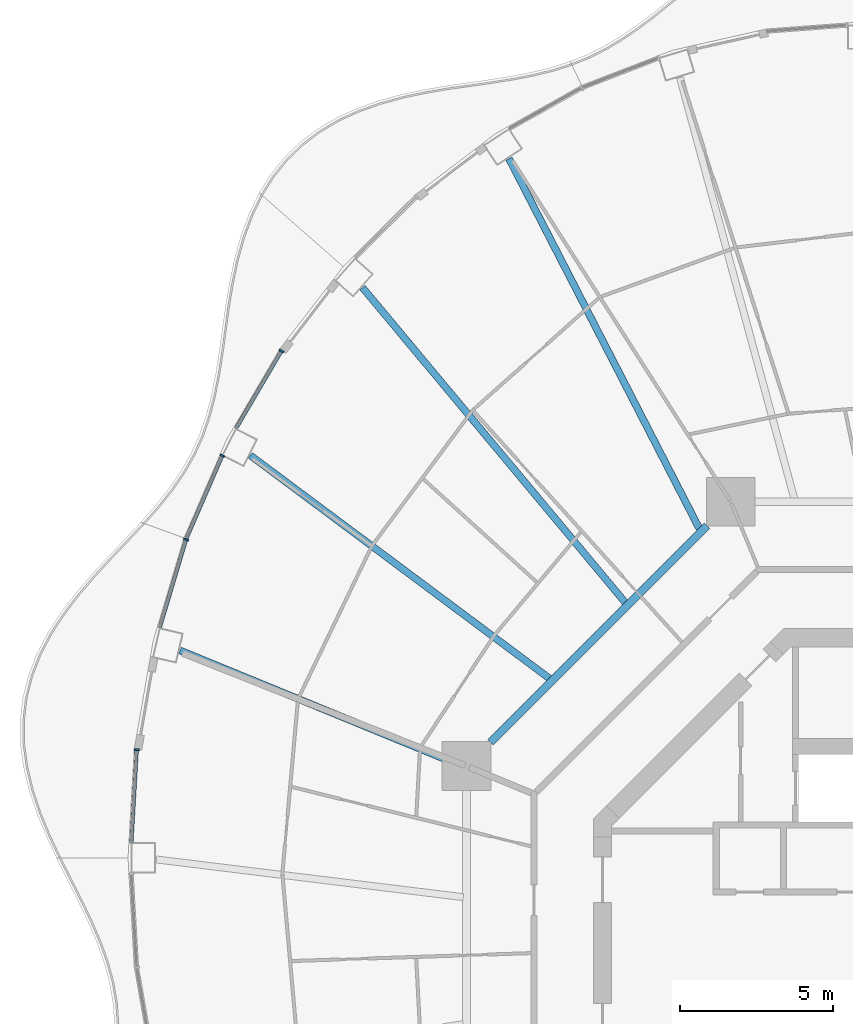
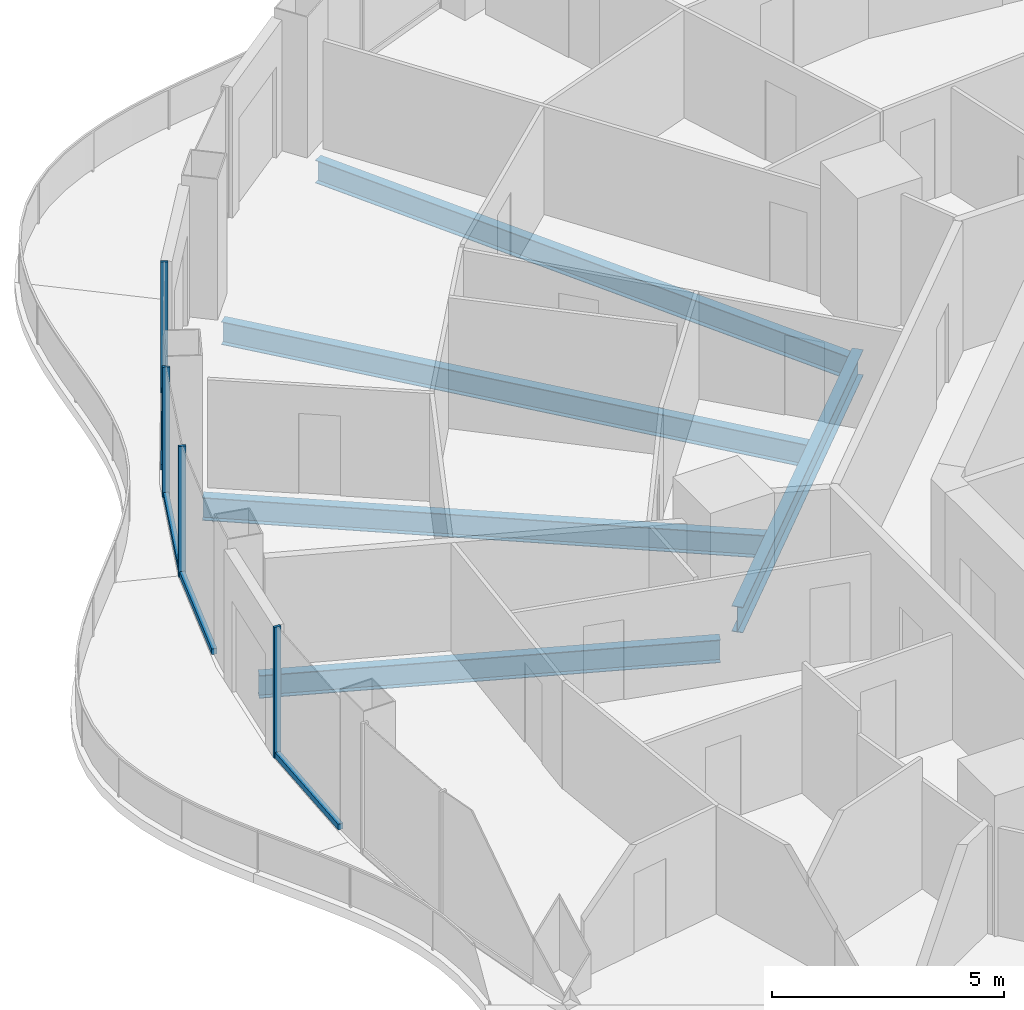
# One storey, part 5 of 18: 8 members, 5 beams, 4 elements without a shape of their own.
"""IFC4 building model written with IfcOpenShell, lengths in metres."""

import ifcopenshell
import ifcopenshell.guid

model = None  # the IFC model being written
_history = None  # IfcOwnerHistory: only IFC2X3 demands one
_inside = {}  # id of a spatial element -> (the spatial element, [elements in it])
_under = {}  # id of a project, library or spatial element -> (it, [spatial elements below it])
_declared = {}  # id of a project -> (the project, [libraries it declares])
_typed = {}  # id of a type object -> (the type object, [elements of that type])
_made_of = {}  # id of a material, layer set ... -> (it, [elements and type objects made of it])


def new_model(schema):
    """Start an empty IFC model of exactly this schema.

    Asked for "IFC4X3", IfcOpenShell would pick the latest addendum, in which some entities
    have other attributes; the version numbers below select the first issue.
    IFC2X3 requires an IfcOwnerHistory on every rooted entity: one is made here for all.
    """
    global model, _history
    if schema == "IFC4X3":
        model = ifcopenshell.file(schema_version=(4, 3, 0, 0))
    else:
        model = ifcopenshell.file(schema=schema)
    _inside.clear()
    _under.clear()
    _declared.clear()
    _typed.clear()
    _made_of.clear()
    _history = None
    if model.schema == "IFC2X3":
        org = make("IfcOrganization", Name="unknown")
        user = make(
            "IfcPersonAndOrganization",
            ThePerson=make("IfcPerson", FamilyName="unknown"),
            TheOrganization=org,
        )
        app = make(
            "IfcApplication",
            ApplicationDeveloper=org,
            Version="unknown",
            ApplicationFullName="unknown",
            ApplicationIdentifier="unknown",
        )
        _history = make(
            "IfcOwnerHistory",
            OwningUser=user,
            OwningApplication=app,
            ChangeAction="ADDED",
            CreationDate=0,
        )
    return model


def make(cls, **values):
    """One entity of the class cls with the attributes given. An attribute that is None is left unset."""
    return model.create_entity(
        cls, **{name: value for name, value in values.items() if value is not None}
    )


def rooted(cls, **values):
    """An entity with a GlobalId (a new one), such as an element, a storey or a relation."""
    return make(cls, GlobalId=ifcopenshell.guid.new(), OwnerHistory=_history, **values)


def si_unit(unit_type, name, prefix=None):
    """IfcSIUnit, for example si_unit("LENGTHUNIT", "METRE", prefix="MILLI")."""
    return make("IfcSIUnit", UnitType=unit_type, Prefix=prefix, Name=name)


def assignment(units):
    """IfcUnitAssignment: the units of a project."""
    return None if units is None else make("IfcUnitAssignment", Units=units)


def point(xyz):
    """IfcCartesianPoint."""
    return None if xyz is None else make("IfcCartesianPoint", Coordinates=xyz)


def direction(xyz):
    """IfcDirection."""
    return None if xyz is None else make("IfcDirection", DirectionRatios=xyz)


def frame(location, z_axis=None, x_axis=None):
    """IfcAxis2Placement3D, a coordinate frame: its origin and axes. An axis left out is left unset."""
    return make(
        "IfcAxis2Placement3D",
        Location=point(location),
        Axis=direction(z_axis),
        RefDirection=direction(x_axis),
    )


def frame_2d(location, x_axis=None):
    """IfcAxis2Placement2D, a coordinate frame in the plane: its origin and x axis."""
    return make(
        "IfcAxis2Placement2D", Location=point(location), RefDirection=direction(x_axis)
    )


def origin():
    """The frame at (0, 0, 0) with its axes left unset."""
    return frame((0.0, 0.0, 0.0))


def origin_2d():
    """The frame at (0, 0) in the plane with its x axis left unset."""
    return frame_2d((0.0, 0.0))


def place(relative_to, where):
    """IfcLocalPlacement: puts the frame where relative to a parent placement (None: the world)."""
    return make(
        "IfcLocalPlacement", PlacementRelTo=relative_to, RelativePlacement=where
    )


def context(
    kind, dimensions, precision=None, world=None, true_north=None, identifier=None
):
    """IfcGeometricRepresentationContext, for example the 3D "Model" context."""
    return make(
        "IfcGeometricRepresentationContext",
        ContextIdentifier=identifier,
        ContextType=kind,
        CoordinateSpaceDimension=dimensions,
        Precision=precision,
        WorldCoordinateSystem=world,
        TrueNorth=true_north,
    )


def subcontext(parent, identifier, kind, view, scale=None):
    """IfcGeometricRepresentationSubContext, for example "Body" below "Model"."""
    return make(
        "IfcGeometricRepresentationSubContext",
        ContextIdentifier=identifier,
        ContextType=kind,
        ParentContext=parent,
        TargetScale=scale,
        TargetView=view,
    )


def project(units=None, contexts=None):
    """IfcProject with its units and contexts."""
    return rooted(
        "IfcProject",
        Name="project",
        RepresentationContexts=contexts,
        UnitsInContext=assignment(units),
    )


def spatial(cls, under=None, at=None, **own):
    """A site, building, storey or space (cls), placed at a placement, below another one or the project."""
    s = rooted(cls, ObjectPlacement=at, **own)
    if under is not None:
        _under.setdefault(under.id(), (under, []))[1].append(s)
    return s


def profile(cls, at=None, kind="AREA", **sizes):
    """A parametric profile (cls). Its sizes go by their IFC names, for example OverallWidth=200.0."""
    return make(cls, ProfileType=kind, Position=at, **sizes)


def rectangle(**sizes):
    """IfcRectangleProfileDef."""
    return profile("IfcRectangleProfileDef", **sizes)


def i_section(**sizes):
    """IfcIShapeProfileDef."""
    return profile("IfcIShapeProfileDef", **sizes)


def extrude(swept, where, along, depth):
    """IfcExtrudedAreaSolid: the profile swept, set in the frame where, extruded along a direction by depth."""
    return make(
        "IfcExtrudedAreaSolid",
        SweptArea=swept,
        Position=where,
        ExtrudedDirection=direction(along),
        Depth=depth,
    )


def shape(context_of_items, identifier, shape_type, items):
    """IfcShapeRepresentation: the items that make up one representation, for example the "Body"."""
    return make(
        "IfcShapeRepresentation",
        ContextOfItems=context_of_items,
        RepresentationIdentifier=identifier,
        RepresentationType=shape_type,
        Items=items,
    )


def material(Name=None, Category=None):
    """IfcMaterial."""
    return make("IfcMaterial", Name=Name, Category=Category)


def layer(
    of_material, thickness, ventilated=None, Name=None, Category=None, Priority=None
):
    """IfcMaterialLayer: one layer of a wall or slab, of a material (None: an air gap)."""
    return make(
        "IfcMaterialLayer",
        Material=of_material,
        LayerThickness=thickness,
        IsVentilated=ventilated,
        Name=Name,
        Category=Category,
        Priority=Priority,
    )


def layer_set(layers, Name=None):
    """IfcMaterialLayerSet."""
    return make("IfcMaterialLayerSet", MaterialLayers=layers, LayerSetName=Name)


def material_profile(
    of_material, cross_section, Name=None, Category=None, Priority=None
):
    """IfcMaterialProfile: a cross section and its material."""
    return make(
        "IfcMaterialProfile",
        Name=Name,
        Material=of_material,
        Profile=cross_section,
        Priority=Priority,
        Category=Category,
    )


def profile_set(profiles, Name=None, composite=None):
    """IfcMaterialProfileSet."""
    return make(
        "IfcMaterialProfileSet",
        Name=Name,
        MaterialProfiles=profiles,
        CompositeProfile=composite,
    )


def made_of(thing, what):
    """Note that an element or type object is made of a material, layer set ...; save() writes the relation."""
    if what is not None:
        _made_of.setdefault(what.id(), (what, []))[1].append(thing)
    return thing


def type_object(cls, material=None, **own):
    """A type object (cls), such as IfcWallType, which elements share."""
    return made_of(rooted(cls, **own), material)


def element(
    cls,
    number,
    at=None,
    inside=None,
    cuts=None,
    type_object=None,
    material=None,
    context=None,
    identifier="Body",
    shape_type=None,
    held_by="IfcProductDefinitionShape",
    body=None,
    shapes=None,
    **own,
):
    """One element of the class cls, such as IfcWall. Its Tag is "e" and its number.

    at: its placement. inside: the storey or other place that contains it. cuts: it is an
    opening in that element (IfcRelVoidsElement). A single representation is given by context,
    identifier, shape_type and body (its items); several are given by shapes. held_by: the class
    of the entity that holds the representations. save() writes the other relations.
    """
    e = rooted(cls, Tag="e%d" % number, ObjectPlacement=at, **own)
    if body is not None:
        shapes = [shape(context, identifier, shape_type, body)]
    if shapes is not None:
        e.Representation = make(held_by, Representations=shapes)
    if inside is not None:
        _inside.setdefault(inside.id(), (inside, []))[1].append(e)
    if cuts is not None:
        rooted(
            "IfcRelVoidsElement", RelatingBuildingElement=cuts, RelatedOpeningElement=e
        )
    if type_object is not None:
        _typed.setdefault(type_object.id(), (type_object, []))[1].append(e)
    return made_of(e, material)


def aggregate(whole, parts):
    """IfcRelAggregates: a whole, such as a stair, and the parts it consists of."""
    return rooted("IfcRelAggregates", RelatingObject=whole, RelatedObjects=parts)


def save(model, path):
    """Write the relations noted so far, then the file.

    IfcRelAggregates (storeys below a building ...), IfcRelContainedInSpatialStructure (elements
    in a storey), IfcRelDefinesByType, IfcRelAssociatesMaterial and IfcRelDeclares: one each for
    every whole, place, type object, material and project.
    """
    for whole, parts in _under.values():
        aggregate(whole, parts)
    for where, things in _inside.values():
        rooted(
            "IfcRelContainedInSpatialStructure",
            RelatedElements=things,
            RelatingStructure=where,
        )
    for kind, things in _typed.values():
        rooted("IfcRelDefinesByType", RelatedObjects=things, RelatingType=kind)
    for what, things in _made_of.values():
        rooted("IfcRelAssociatesMaterial", RelatedObjects=things, RelatingMaterial=what)
    for by, libraries in _declared.values():
        rooted("IfcRelDeclares", RelatingContext=by, RelatedDefinitions=libraries)
    model.write(path)


model = new_model("IFC4")

# Units and contexts
model_context = context("Model", 3, precision=1e-05, world=origin(), true_north=direction((0.0, 1.0)))
body_context = subcontext(model_context, "Body", "Model", "MODEL_VIEW")
ifc_project = project(units=[si_unit("LENGTHUNIT", "METRE"), si_unit("AREAUNIT", "SQUARE_METRE"), si_unit("VOLUMEUNIT", "CUBIC_METRE"), si_unit("PLANEANGLEUNIT", "RADIAN"), si_unit("MASSUNIT", "GRAM", prefix="KILO")], contexts=[model_context])

# Site, building, storey
site_placement = place(None, origin())
site = spatial("IfcSite", under=ifc_project, at=site_placement, CompositionType="ELEMENT")
building_placement = place(site_placement, origin())
building = spatial("IfcBuilding", under=site, at=building_placement, Name="Nagisa Residences", CompositionType="ELEMENT")
storey_placement = place(building_placement, frame((0.0, 0.0, 212.199951171875)))
storey = spatial("IfcBuildingStorey", under=building, at=storey_placement, Name="L53", CompositionType="ELEMENT", Elevation=212.199951171875)

# Curtain wall, member
ifc_material_1 = material(Name="Concrete-coloured aluminium curtain wall system", Category="concrete")
ifc_layer = layer(ifc_material_1, 0.159912109375)
ifc_layer_set = layer_set([ifc_layer], Name="CW1 CURTAIN WALL")
curtain_wall_type = type_object("IfcCurtainWallType", Name="CW1 CURTAIN WALL", PredefinedType="NOTDEFINED", material=ifc_layer_set)
curtain_wall_1_placement = place(storey_placement, origin())
curtain_wall_1 = element("IfcCurtainWall", 1, at=curtain_wall_1_placement, inside=storey, type_object=curtain_wall_type, Name="cw:CW1:L53:19", PredefinedType="NOTDEFINED")
ifc_material_2 = material(Name="Concrete-coloured aluminium", Category="concrete")
ifc_material_profile_1 = material_profile(ifc_material_2, rectangle(XDim=0.159912109375, YDim=0.06005859375, at=origin_2d()), Name="CW1 MULLION 160x60")
ifc_profile_set_1 = profile_set([ifc_material_profile_1], Name="Concrete-coloured aluminium")
member_type_1 = type_object("IfcMemberType", Name="CW1 MULLION 160x60", PredefinedType="MULLION", material=ifc_profile_set_1)
member_1_placement = place(storey_placement, frame((-20.84228515625, 19.725341796875, 0.0), z_axis=(0.0, 0.0, 1.0), x_axis=(0.862328898214, -0.506348567002, 0.0)))
member_1 = element("IfcMember", 2, at=member_1_placement, type_object=member_type_1, Name="CW1 mullion", PredefinedType="MULLION", context=body_context, shape_type="SweptSolid", body=[
    extrude(rectangle(XDim=0.159912109375, YDim=0.06005859375, at=origin_2d()), origin(), (0.0, 0.0, 1.0), 3.43994140625),
])

curtain_wall_2_placement = place(storey_placement, origin())
curtain_wall_2 = element("IfcCurtainWall", 3, at=curtain_wall_2_placement, inside=storey, type_object=curtain_wall_type, Name="cw:CW1:L53:20", PredefinedType="NOTDEFINED")
member_2_placement = place(storey_placement, frame((-22.782470703125, 16.294677734375, 0.0), z_axis=(0.0, 0.0, 1.0), x_axis=(0.917543276295, -0.397635934147, 0.0)))
member_2 = element("IfcMember", 4, at=member_2_placement, type_object=member_type_1, Name="CW1 mullion", PredefinedType="MULLION", context=body_context, shape_type="SweptSolid", body=[
    extrude(rectangle(XDim=0.159912109375, YDim=0.06005859375, at=origin_2d()), origin(), (0.0, 0.0, 1.0), 3.43994140625),
])

curtain_wall_3_placement = place(storey_placement, origin())
curtain_wall_3 = element("IfcCurtainWall", 5, at=curtain_wall_3_placement, inside=storey, type_object=curtain_wall_type, Name="cw:CW1:L53:21", PredefinedType="NOTDEFINED")
member_3_placement = place(storey_placement, frame((-23.9697265625, 13.5478515625, 0.0), z_axis=(0.0, 0.0, 1.0), x_axis=(0.958271310082, -0.285860274038, 0.0)))
member_3 = element("IfcMember", 6, at=member_3_placement, type_object=member_type_1, Name="CW1 mullion", PredefinedType="MULLION", context=body_context, shape_type="SweptSolid", body=[
    extrude(rectangle(XDim=0.159912109375, YDim=0.06005859375, at=origin_2d()), origin(), (0.0, 0.0, 1.0), 3.43994140625),
])

curtain_wall_4_placement = place(storey_placement, origin())
curtain_wall_4 = element("IfcCurtainWall", 7, at=curtain_wall_4_placement, inside=storey, type_object=curtain_wall_type, Name="cw:CW1:L53:23", PredefinedType="NOTDEFINED")
member_4_placement = place(storey_placement, frame((-25.5859375, 6.658203125, 0.0), z_axis=(0.0, 0.0, 1.0), x_axis=(0.998345305184, -0.057503492216, 0.0)))
member_4 = element("IfcMember", 8, at=member_4_placement, type_object=member_type_1, Name="CW1 mullion", PredefinedType="MULLION", context=body_context, shape_type="SweptSolid", body=[
    extrude(rectangle(XDim=0.159912109375, YDim=0.06005859375, at=origin_2d()), origin(), (0.0, 0.0, 1.0), 3.43994140625),
])

# Member
ifc_material_3 = material(Name="Concrete-coloured aluminium", Category="concrete")
ifc_material_profile_2 = material_profile(ifc_material_3, rectangle(XDim=0.1201171875, YDim=0.14990234375, at=origin_2d()), Name="CW1 TRANSOM 120x150")
ifc_profile_set_2 = profile_set([ifc_material_profile_2], Name="Concrete-coloured aluminium")
member_type_2 = type_object("IfcMemberType", Name="CW1 TRANSOM 120x150", PredefinedType="USERDEFINED", material=ifc_profile_set_2)
member_5_placement = place(storey_placement, frame((-20.8271484375, 19.751220703125, 0.074951171875), z_axis=(-0.506294090973, -0.862360883532, 0.0), x_axis=(0.862360883532, -0.506294090973, 0.0)))
member_5 = element("IfcMember", 9, at=member_5_placement, type_object=member_type_2, Name="CW1 transom", ObjectType="TRANSOM", PredefinedType="USERDEFINED", context=body_context, shape_type="SweptSolid", body=[
    extrude(rectangle(XDim=0.1201171875, YDim=0.14990234375, at=origin_2d()), origin(), (0.0, 0.0, 1.0), 2.95458984375),
])

aggregate(curtain_wall_1, [member_1, member_5])

member_6_placement = place(storey_placement, frame((-22.770751953125, 16.322021484375, 0.074951171875), z_axis=(-0.397616567135, -0.917551669139, 0.0), x_axis=(0.917551669139, -0.397616567135, 0.0)))
member_6 = element("IfcMember", 10, at=member_6_placement, type_object=member_type_2, Name="CW1 transom", ObjectType="TRANSOM", PredefinedType="USERDEFINED", context=body_context, shape_type="SweptSolid", body=[
    extrude(rectangle(XDim=0.1201171875, YDim=0.14990234375, at=origin_2d()), origin(), (0.0, 0.0, 1.0), 3.001953125),
])

aggregate(curtain_wall_2, [member_2, member_6])

member_7_placement = place(storey_placement, frame((-23.961181640625, 13.576416015625, 0.074951171875), z_axis=(-0.285881452443, -0.958264992134, 0.0), x_axis=(0.958264992134, -0.285881452443, 0.0)))
member_7 = element("IfcMember", 11, at=member_7_placement, type_object=member_type_2, Name="CW1 transom", ObjectType="TRANSOM", PredefinedType="USERDEFINED", context=body_context, shape_type="SweptSolid", body=[
    extrude(rectangle(XDim=0.1201171875, YDim=0.14990234375, at=origin_2d()), origin(), (0.0, 0.0, 1.0), 3.040283203125),
])

aggregate(curtain_wall_3, [member_3, member_7])

member_8_placement = place(storey_placement, frame((-25.584228515625, 6.688232421875, 0.074951171875), z_axis=(-0.057528189427, -0.998343882348, 0.0), x_axis=(0.998343882348, -0.057528189427, 0.0)))
member_8 = element("IfcMember", 12, at=member_8_placement, type_object=member_type_2, Name="CW1 transom", ObjectType="TRANSOM", PredefinedType="USERDEFINED", context=body_context, shape_type="SweptSolid", body=[
    extrude(rectangle(XDim=0.1201171875, YDim=0.14990234375, at=origin_2d()), origin(), (0.0, 0.0, 1.0), 3.0810546875),
])

aggregate(curtain_wall_4, [member_4, member_8])

# Beams
ifc_material_4 = material(Name="Steel ASTM A572 Gr 50", Category="steel")
ifc_material_profile_3 = material_profile(ifc_material_4, i_section(OverallWidth=0.2529296875, OverallDepth=0.677978515625, WebThickness=0.01171875, FlangeThickness=0.016357421875, at=origin_2d()), Name="W690x125")
ifc_profile_set_3 = profile_set([ifc_material_profile_3], Name="Steel ASTM A572 Gr 50")
beam_type_1 = type_object("IfcBeamType", Name="Inner ring beam W690x125", PredefinedType="BEAM", material=ifc_profile_set_3)
beam_1_placement = place(storey_placement, frame((-6.90869140625, 13.99609375, -0.598876953125), z_axis=(-0.707106781187, -0.707106781187, 0.0), x_axis=(0.707106781187, -0.707106781187, 0.0)))
element("IfcBeam", 13, at=beam_1_placement, inside=storey, type_object=beam_type_1, Name="beam:L53:ib3", PredefinedType="BEAM", context=body_context, shape_type="SweptSolid", body=[
    extrude(i_section(OverallWidth=0.2529296875, OverallDepth=0.677978515625, WebThickness=0.01171875, FlangeThickness=0.016357421875, at=origin_2d()), origin(), (0.0, 0.0, 1.0), 10.023193359375),
])
ifc_material_5 = material(Name="Steel ASTM A572 Gr 50", Category="steel")
ifc_material_profile_4 = material_profile(ifc_material_5, i_section(OverallWidth=0.22802734375, OverallDepth=0.60302734375, WebThickness=0.010498046875, FlangeThickness=0.014892578125, at=origin_2d()), Name="W610x101")
ifc_profile_set_4 = profile_set([ifc_material_profile_4], Name="Steel ASTM A572 Gr 50")
beam_type_2 = type_object("IfcBeamType", Name="Radial beam W610x101", PredefinedType="BEAM", material=ifc_profile_set_4)
beam_2_placement = place(storey_placement, frame((-13.38720703125, 26.0205078125, -0.5615234375), z_axis=(0.457489699405, -0.889214920555, 0.0), x_axis=(0.889214920555, 0.457489699405, 0.0)))
element("IfcBeam", 14, at=beam_2_placement, inside=storey, type_object=beam_type_2, Name="beam:L53:rb09", PredefinedType="BEAM", context=body_context, shape_type="SweptSolid", body=[
    extrude(i_section(OverallWidth=0.22802734375, OverallDepth=0.60302734375, WebThickness=0.010498046875, FlangeThickness=0.014892578125, at=origin_2d()), origin(), (0.0, 0.0, 1.0), 13.626220703125),
])
beam_3_placement = place(storey_placement, frame((-18.1875, 21.79736328125, -0.5615234375), z_axis=(0.640661357839, -0.767823563439, 0.0), x_axis=(0.767823563439, 0.640661357839, 0.0)))
element("IfcBeam", 15, at=beam_3_placement, inside=storey, type_object=beam_type_2, Name="beam:L53:rb10", PredefinedType="BEAM", context=body_context, shape_type="SweptSolid", body=[
    extrude(i_section(OverallWidth=0.22802734375, OverallDepth=0.60302734375, WebThickness=0.010498046875, FlangeThickness=0.014892578125, at=origin_2d()), origin(), (0.0, 0.0, 1.0), 13.439453125),
])
beam_4_placement = place(storey_placement, frame((-21.862060546875, 16.3017578125, -0.5615234375), z_axis=(0.801669648927, -0.597767324291, 0.0), x_axis=(0.597767324291, 0.801669648927, 0.0)))
element("IfcBeam", 16, at=beam_4_placement, inside=storey, type_object=beam_type_2, Name="beam:L53:rb11", PredefinedType="BEAM", context=body_context, shape_type="SweptSolid", body=[
    extrude(i_section(OverallWidth=0.22802734375, OverallDepth=0.60302734375, WebThickness=0.010498046875, FlangeThickness=0.014892578125, at=origin_2d()), origin(), (0.0, 0.0, 1.0), 12.224853515625),
])
beam_5_placement = place(storey_placement, frame((-24.163818359375, 9.912109375, -0.5615234375), z_axis=(0.925182214665, -0.379523213608, 0.0), x_axis=(0.379523213608, 0.925182214665, 0.0)))
element("IfcBeam", 17, at=beam_5_placement, inside=storey, type_object=beam_type_2, Name="beam:L53:rb12", PredefinedType="BEAM", context=body_context, shape_type="SweptSolid", body=[
    extrude(i_section(OverallWidth=0.22802734375, OverallDepth=0.60302734375, WebThickness=0.010498046875, FlangeThickness=0.014892578125, at=origin_2d()), origin(), (0.0, 0.0, 1.0), 10.023681640625),
])

save(model, "model.ifc")
